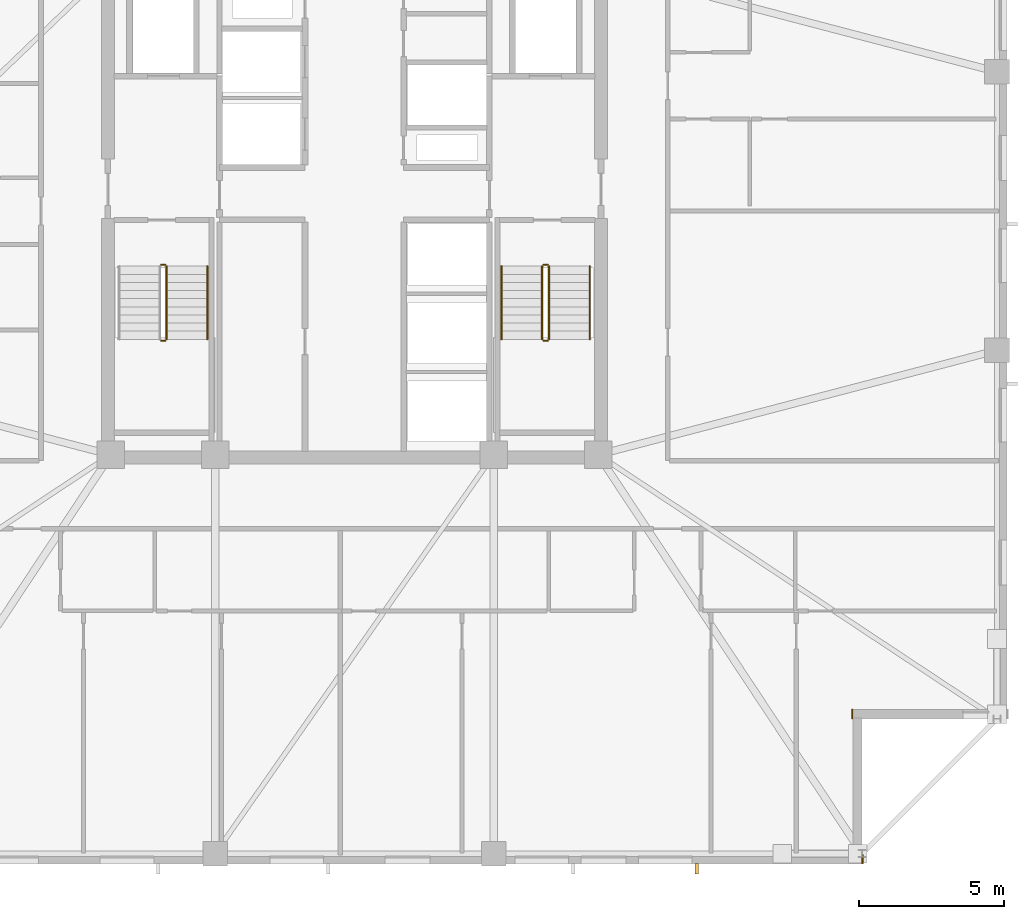
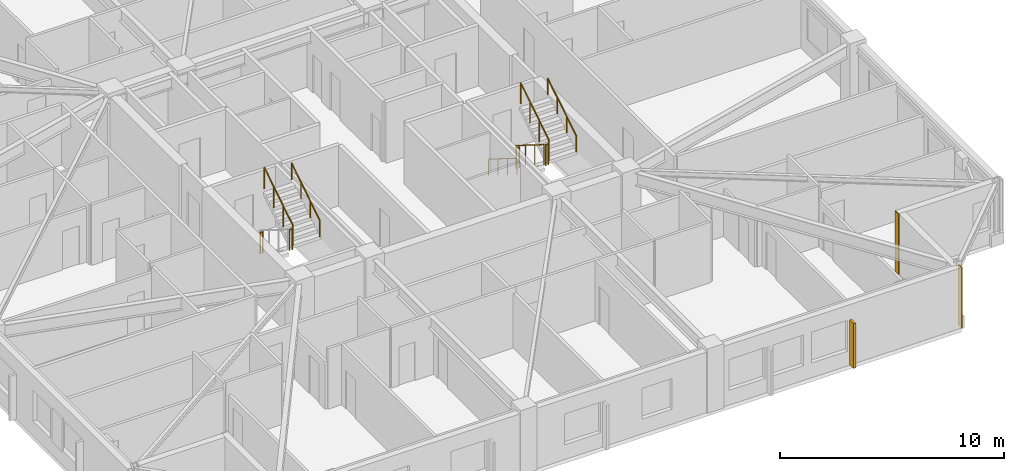
# One storey, part 14 of 17: 10 railings, 2 coverings, 1 shading device.
"""IFC4 building model written with IfcOpenShell, lengths in metres."""

from ifc_helpers import new_model, si_unit, direction, frame, frame_2d, origin, origin_2d, place, context, subcontext, project, spatial, rectangle, circle, extrude, material, layer, layer_set, type_object, element, save


model = new_model("IFC4")

# Units and contexts
model_context = context("Model", 3, precision=1e-05, world=origin(), true_north=direction((0.0, 1.0)))
body_context = subcontext(model_context, "Body", "Model", "MODEL_VIEW")
ifc_project = project(units=[si_unit("LENGTHUNIT", "METRE"), si_unit("AREAUNIT", "SQUARE_METRE"), si_unit("VOLUMEUNIT", "CUBIC_METRE"), si_unit("PLANEANGLEUNIT", "RADIAN"), si_unit("MASSUNIT", "GRAM", prefix="KILO")], contexts=[model_context])

# Site, building, storey
site_placement = place(None, origin())
site = spatial("IfcSite", under=ifc_project, at=site_placement, CompositionType="ELEMENT")
building_placement = place(site_placement, origin())
building = spatial("IfcBuilding", under=site, at=building_placement, Name="Cairnveth Concourse Tower", CompositionType="ELEMENT")
storey_placement = place(building_placement, frame((0.0, 0.0, 202.5)))
storey = spatial("IfcBuildingStorey", under=building, at=storey_placement, Name="L55", CompositionType="ELEMENT", Elevation=202.5)

# Coverings
ifc_material_1 = material(Name="Dressed Melbourne Bluestone Cladding", Category="masonry")
ifc_layer = layer(ifc_material_1, 0.050048828125)
ifc_layer_set = layer_set([ifc_layer], Name="Dressed Melbourne Bluestone Cladding")
covering_type = type_object("IfcCoveringType", Name="DRESSED BLUESTONE PLINTH CLADDING 50", PredefinedType="CLADDING", material=ifc_layer_set)
for number, where, z_axis, x_axis, name in (
    (1, (69.159912109375, 21.820068359375, 0.0), (0.0, 0.0, 1.0), (0.0, -1.0, 0.0), "Melbourne Bluestone Corner Quoin L55-820"),
    (2, (69.52001953125, 16.820068359375, 0.0), (0.0, 0.0, 1.0), (0.0, -1.0, 0.0), "Melbourne Bluestone Corner Quoin L55-821"),
):
    element("IfcCovering", number, at=place(storey_placement, frame(where, z_axis=z_axis, x_axis=x_axis)), inside=storey, type_object=covering_type, Name=name, PredefinedType="CLADDING", context=body_context, shape_type="SweptSolid", body=[
        extrude(rectangle(XDim=0.320068359375, YDim=0.050048828125, at=frame_2d((0.16015625, 0.0))), origin(), (0.0, 0.0, 1.0), 3.2900390625),
    ])

# Shading device
ifc_material_2 = material(Name="Architectural Bronze Anodised Aluminium 6063-T6", Category="aluminium")
shading_device_type = type_object("IfcShadingDeviceType", Name="GOTHIC BRONZE VERTICAL LANCET FIN", PredefinedType="USERDEFINED", material=ifc_material_2)
shading_device_placement = place(storey_placement, frame((63.79736328125, 16.324951171875, 0.030029296875), z_axis=(0.0, 0.0, 1.0), x_axis=(1.0, 0.0, 0.0)))
element("IfcShadingDevice", 3, at=shading_device_placement, inside=storey, type_object=shading_device_type, Name="Gothic Bronze Vertical Fin L55-6-1", ObjectType="VERTICAL FIN", PredefinedType="USERDEFINED", context=body_context, shape_type="SweptSolid", body=[
    extrude(rectangle(XDim=0.1201171875, YDim=0.360107421875, at=origin_2d()), origin(), (0.0, 0.0, 1.0), 2.43798828125),
])

# Railings
ifc_material_3 = material(Name="Steel Grade 350", Category="steel")
railing_type_1 = type_object("IfcRailingType", Name="STAIR GUARDRAIL 1150", PredefinedType="GUARDRAIL", material=ifc_material_3)
railing_1_placement = place(storey_placement, frame((45.340087890625, 34.530029296875, 1.75)))
element("IfcRailing", 4, at=railing_1_placement, inside=storey, type_object=railing_type_1, Name="L55 ST-1 stair guard 2", PredefinedType="GUARDRAIL", context=body_context, shape_type="SweptSolid", body=[
    extrude(circle(Radius=0.02392578125, at=origin_2d()), frame((0.0, 0.0, 1.1259765625), z_axis=(1.0, 0.0, 0.0), x_axis=(0.0, 1.0, 0.0)), (0.0, 0.0, 1.0), 0.139892578125),
    extrude(circle(Radius=0.02099609375, at=origin_2d()), origin(), (0.0, 0.0, 1.0), 1.101806640625),
    extrude(circle(Radius=0.02099609375, at=origin_2d()), frame((0.139892578125, 0.0, 0.0)), (0.0, 0.0, 1.0), 1.101806640625),
])
railing_2_placement = place(storey_placement, frame((45.530029296875, 34.580078125, 1.925048828125)))
element("IfcRailing", 5, at=railing_2_placement, inside=storey, type_object=railing_type_1, Name="L55 ST-1 stair guard 3", PredefinedType="GUARDRAIL", context=body_context, shape_type="SweptSolid", body=[
    extrude(circle(Radius=0.02392578125, at=origin_2d()), frame((0.0, 0.0, 1.1259765625), z_axis=(0.0, 0.848007534815, 0.529984170421), x_axis=(-1.0, 0.0, 0.0)), (0.0, 0.0, 1.0), 2.9716796875),
    extrude(circle(Radius=0.02099609375, at=origin_2d()), origin(), (0.0, 0.0, 1.0), 1.101806640625),
    extrude(circle(Radius=0.02099609375, at=origin_2d()), frame((0.0, 0.840087890625, 0.52490234375)), (0.0, 0.0, 1.0), 1.101806640625),
    extrude(circle(Radius=0.02099609375, at=origin_2d()), frame((0.0, 1.679931640625, 1.050048828125)), (0.0, 0.0, 1.0), 1.101806640625),
    extrude(circle(Radius=0.02099609375, at=origin_2d()), frame((0.0, 2.52001953125, 1.574951171875)), (0.0, 0.0, 1.0), 1.101806640625),
])
railing_3_placement = place(storey_placement, frame((45.340087890625, 37.14990234375, 0.0)))
element("IfcRailing", 6, at=railing_3_placement, inside=storey, type_object=railing_type_1, Name="L55 ST-1 stair guard 4", PredefinedType="GUARDRAIL", context=body_context, shape_type="SweptSolid", body=[
    extrude(circle(Radius=0.02392578125, at=origin_2d()), frame((0.0, 0.0, 1.1259765625), z_axis=(1.0, 0.0, 0.0), x_axis=(0.0, 1.0, 0.0)), (0.0, 0.0, 1.0), 0.139892578125),
    extrude(circle(Radius=0.02099609375, at=origin_2d()), origin(), (0.0, 0.0, 1.0), 1.101806640625),
    extrude(circle(Radius=0.02099609375, at=origin_2d()), frame((0.139892578125, 0.0, 0.0)), (0.0, 0.0, 1.0), 1.101806640625),
])
railing_4_placement = place(storey_placement, frame((58.469970703125, 37.10009765625, 0.175048828125)))
element("IfcRailing", 7, at=railing_4_placement, inside=storey, type_object=railing_type_1, Name="L55 ST-2 stair guard 1", PredefinedType="GUARDRAIL", context=body_context, shape_type="SweptSolid", body=[
    extrude(circle(Radius=0.02392578125, at=origin_2d()), frame((0.0, 0.0, 1.1259765625), z_axis=(0.0, -0.848007534815, 0.529984170421), x_axis=(1.0, 0.0, 0.0)), (0.0, 0.0, 1.0), 2.9716796875),
    extrude(circle(Radius=0.02099609375, at=origin_2d()), origin(), (0.0, 0.0, 1.0), 1.101806640625),
    extrude(circle(Radius=0.02099609375, at=origin_2d()), frame((0.0, -0.840087890625, 0.52490234375)), (0.0, 0.0, 1.0), 1.101806640625),
    extrude(circle(Radius=0.02099609375, at=origin_2d()), frame((0.0, -1.679931640625, 1.050048828125)), (0.0, 0.0, 1.0), 1.101806640625),
    extrude(circle(Radius=0.02099609375, at=origin_2d()), frame((0.0, -2.52001953125, 1.574951171875)), (0.0, 0.0, 1.0), 1.101806640625),
])
railing_5_placement = place(storey_placement, frame((58.52001953125, 34.530029296875, 1.75)))
element("IfcRailing", 8, at=railing_5_placement, inside=storey, type_object=railing_type_1, Name="L55 ST-2 stair guard 2", PredefinedType="GUARDRAIL", context=body_context, shape_type="SweptSolid", body=[
    extrude(circle(Radius=0.02392578125, at=origin_2d()), frame((0.0, 0.0, 1.1259765625), z_axis=(1.0, 0.0, 0.0), x_axis=(0.0, 1.0, 0.0)), (0.0, 0.0, 1.0), 0.139892578125),
    extrude(circle(Radius=0.02099609375, at=origin_2d()), origin(), (0.0, 0.0, 1.0), 1.101806640625),
    extrude(circle(Radius=0.02099609375, at=origin_2d()), frame((0.139892578125, 0.0, 0.0)), (0.0, 0.0, 1.0), 1.101806640625),
])
railing_6_placement = place(storey_placement, frame((58.7099609375, 34.580078125, 1.925048828125)))
element("IfcRailing", 9, at=railing_6_placement, inside=storey, type_object=railing_type_1, Name="L55 ST-2 stair guard 3", PredefinedType="GUARDRAIL", context=body_context, shape_type="SweptSolid", body=[
    extrude(circle(Radius=0.02392578125, at=origin_2d()), frame((0.0, 0.0, 1.1259765625), z_axis=(0.0, 0.848007534815, 0.529984170421), x_axis=(-1.0, 0.0, 0.0)), (0.0, 0.0, 1.0), 2.9716796875),
    extrude(circle(Radius=0.02099609375, at=origin_2d()), origin(), (0.0, 0.0, 1.0), 1.101806640625),
    extrude(circle(Radius=0.02099609375, at=origin_2d()), frame((0.0, 0.840087890625, 0.52490234375)), (0.0, 0.0, 1.0), 1.101806640625),
    extrude(circle(Radius=0.02099609375, at=origin_2d()), frame((0.0, 1.679931640625, 1.050048828125)), (0.0, 0.0, 1.0), 1.101806640625),
    extrude(circle(Radius=0.02099609375, at=origin_2d()), frame((0.0, 2.52001953125, 1.574951171875)), (0.0, 0.0, 1.0), 1.101806640625),
])
railing_7_placement = place(storey_placement, frame((58.52001953125, 37.14990234375, 0.0)))
element("IfcRailing", 10, at=railing_7_placement, inside=storey, type_object=railing_type_1, Name="L55 ST-2 stair guard 4", PredefinedType="GUARDRAIL", context=body_context, shape_type="SweptSolid", body=[
    extrude(circle(Radius=0.02392578125, at=origin_2d()), frame((0.0, 0.0, 1.1259765625), z_axis=(1.0, 0.0, 0.0), x_axis=(0.0, 1.0, 0.0)), (0.0, 0.0, 1.0), 0.139892578125),
    extrude(circle(Radius=0.02099609375, at=origin_2d()), origin(), (0.0, 0.0, 1.0), 1.101806640625),
    extrude(circle(Radius=0.02099609375, at=origin_2d()), frame((0.139892578125, 0.0, 0.0)), (0.0, 0.0, 1.0), 1.101806640625),
])
railing_type_2 = type_object("IfcRailingType", Name="STAIR WALL HANDRAIL 900", PredefinedType="HANDRAIL", material=ifc_material_3)
railing_8_placement = place(storey_placement, frame((46.929931640625, 34.580078125, 1.925048828125)))
element("IfcRailing", 11, at=railing_8_placement, inside=storey, type_object=railing_type_2, Name="L55 ST-1 stair handrail 2", PredefinedType="HANDRAIL", context=body_context, shape_type="SweptSolid", body=[
    extrude(circle(Radius=0.02392578125, at=origin_2d()), frame((0.0, 0.0, 0.8759765625), z_axis=(0.0, 0.848007534815, 0.529984170421), x_axis=(-1.0, 0.0, 0.0)), (0.0, 0.0, 1.0), 2.9716796875),
    extrude(circle(Radius=0.02099609375, at=origin_2d()), origin(), (0.0, 0.0, 1.0), 0.851806640625),
    extrude(circle(Radius=0.02099609375, at=origin_2d()), frame((0.0, 0.840087890625, 0.52490234375)), (0.0, 0.0, 1.0), 0.851806640625),
    extrude(circle(Radius=0.02099609375, at=origin_2d()), frame((0.0, 1.679931640625, 1.050048828125)), (0.0, 0.0, 1.0), 0.851806640625),
    extrude(circle(Radius=0.02099609375, at=origin_2d()), frame((0.0, 2.52001953125, 1.574951171875)), (0.0, 0.0, 1.0), 0.851806640625),
])
railing_9_placement = place(storey_placement, frame((57.070068359375, 37.10009765625, 0.175048828125)))
element("IfcRailing", 12, at=railing_9_placement, inside=storey, type_object=railing_type_2, Name="L55 ST-2 stair handrail 1", PredefinedType="HANDRAIL", context=body_context, shape_type="SweptSolid", body=[
    extrude(circle(Radius=0.02392578125, at=origin_2d()), frame((0.0, 0.0, 0.8759765625), z_axis=(0.0, -0.848007534815, 0.529984170421), x_axis=(1.0, 0.0, 0.0)), (0.0, 0.0, 1.0), 2.9716796875),
    extrude(circle(Radius=0.02099609375, at=origin_2d()), origin(), (0.0, 0.0, 1.0), 0.851806640625),
    extrude(circle(Radius=0.02099609375, at=origin_2d()), frame((0.0, -0.840087890625, 0.52490234375)), (0.0, 0.0, 1.0), 0.851806640625),
    extrude(circle(Radius=0.02099609375, at=origin_2d()), frame((0.0, -1.679931640625, 1.050048828125)), (0.0, 0.0, 1.0), 0.851806640625),
    extrude(circle(Radius=0.02099609375, at=origin_2d()), frame((0.0, -2.52001953125, 1.574951171875)), (0.0, 0.0, 1.0), 0.851806640625),
])
railing_10_placement = place(storey_placement, frame((60.110107421875, 34.580078125, 1.925048828125)))
element("IfcRailing", 13, at=railing_10_placement, inside=storey, type_object=railing_type_2, Name="L55 ST-2 stair handrail 2", PredefinedType="HANDRAIL", context=body_context, shape_type="SweptSolid", body=[
    extrude(circle(Radius=0.02392578125, at=origin_2d()), frame((0.0, 0.0, 0.8759765625), z_axis=(0.0, 0.848007534815, 0.529984170421), x_axis=(-1.0, 0.0, 0.0)), (0.0, 0.0, 1.0), 2.9716796875),
    extrude(circle(Radius=0.02099609375, at=origin_2d()), origin(), (0.0, 0.0, 1.0), 0.851806640625),
    extrude(circle(Radius=0.02099609375, at=origin_2d()), frame((0.0, 0.840087890625, 0.52490234375)), (0.0, 0.0, 1.0), 0.851806640625),
    extrude(circle(Radius=0.02099609375, at=origin_2d()), frame((0.0, 1.679931640625, 1.050048828125)), (0.0, 0.0, 1.0), 0.851806640625),
    extrude(circle(Radius=0.02099609375, at=origin_2d()), frame((0.0, 2.52001953125, 1.574951171875)), (0.0, 0.0, 1.0), 0.851806640625),
])

save(model, "model.ifc")
